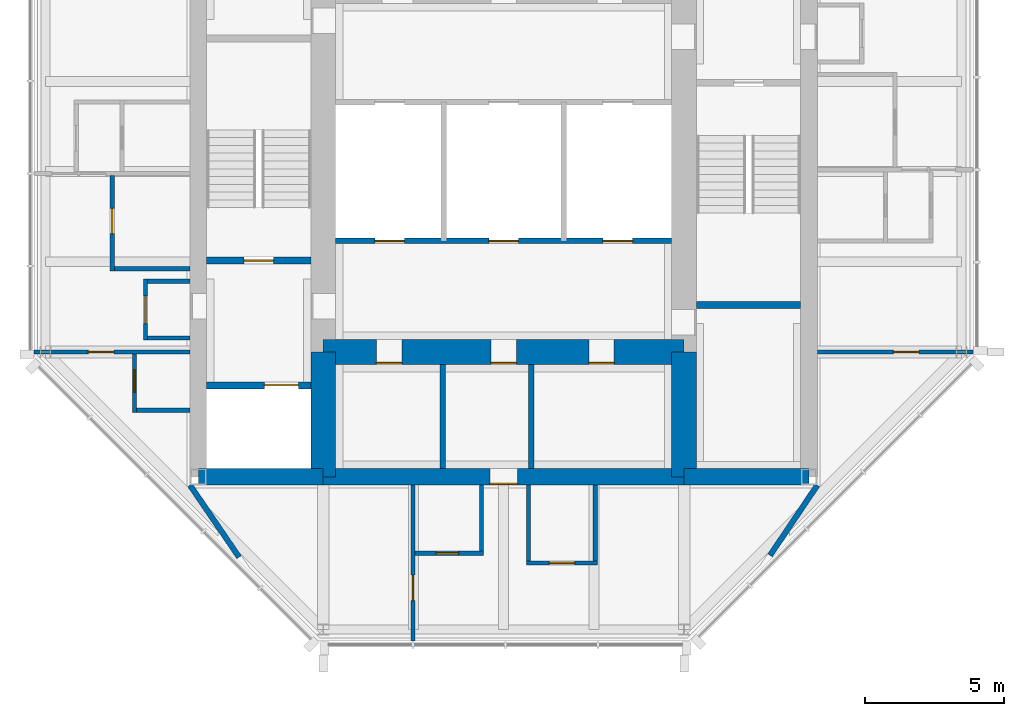
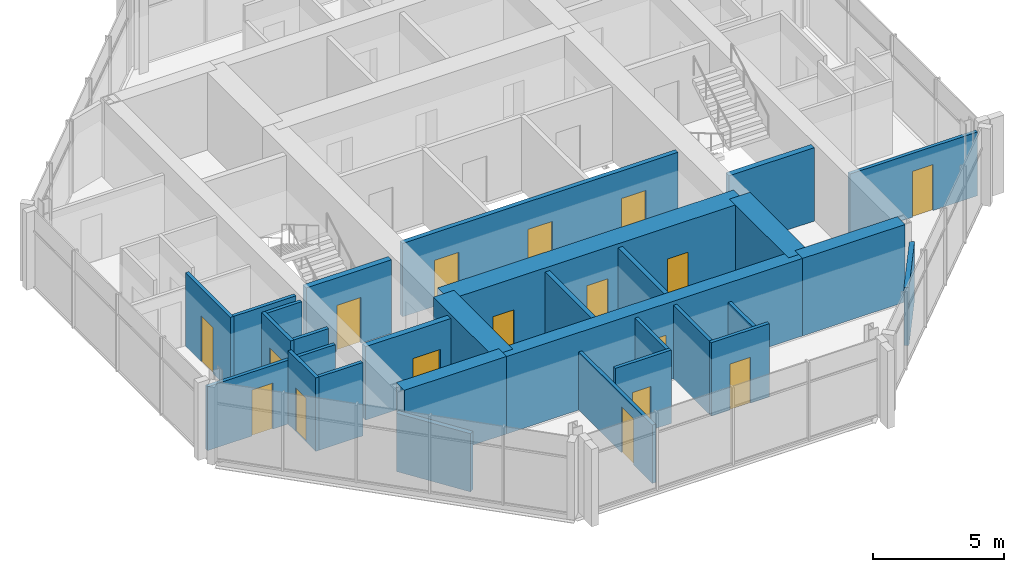
# One storey, part 5 of 9: 29 walls, 17 doors, 17 openings.
"""IFC4 building model written with IfcOpenShell, lengths in metres."""

from ifc_helpers import new_model, si_unit, direction, frame, frame_2d, origin, place, context, subcontext, project, spatial, rectangle, extrude, material, layer, layer_set, type_object, element, fill, save


model = new_model("IFC4")

# Units and contexts
model_context = context("Model", 3, precision=1e-05, world=origin(), true_north=direction((0.0, 1.0)))
body_context = subcontext(model_context, "Body", "Model", "MODEL_VIEW")
ifc_project = project(units=[si_unit("LENGTHUNIT", "METRE"), si_unit("AREAUNIT", "SQUARE_METRE"), si_unit("VOLUMEUNIT", "CUBIC_METRE"), si_unit("PLANEANGLEUNIT", "RADIAN"), si_unit("MASSUNIT", "GRAM", prefix="KILO")], contexts=[model_context])

# Site, building, storey
site_placement = place(None, origin())
site = spatial("IfcSite", under=ifc_project, at=site_placement, CompositionType="ELEMENT")
building_placement = place(site_placement, origin())
building = spatial("IfcBuilding", under=site, at=building_placement, Name="Trevanion Tower", CompositionType="ELEMENT")
storey_placement = place(building_placement, frame((0.0, 0.0, 284.800048828125)))
storey = spatial("IfcBuildingStorey", under=building, at=storey_placement, Name="L70", CompositionType="ELEMENT", Elevation=284.800048828125)

# Wall
ifc_material_1 = material(Name="Concrete 10,000 psi", Category="concrete")
ifc_layer_1 = layer(ifc_material_1, 0.60009765625)
ifc_layer_set_1 = layer_set([ifc_layer_1], Name="CW1 core wall 600")
wall_type_1 = type_object("IfcWallType", Name="CW1 core wall 600", PredefinedType="SHEAR", material=ifc_layer_set_1)
wall_1_placement = place(storey_placement, frame((-11.0, -11.0, 0.0), z_axis=(0.0, 0.0, 1.0), x_axis=(1.0, 0.0, 0.0)))
element("IfcWall", 1, at=wall_1_placement, inside=storey, type_object=wall_type_1, Name="CW1 CS1 L70", PredefinedType="SHEAR", context=body_context, shape_type="SweptSolid", body=[
    extrude(rectangle(XDim=4.5, YDim=0.60009765625, at=frame_2d((2.25, 0.0))), origin(), (0.0, 0.0, 1.0), 3.599853515625),
])

# Wall, opening, door
wall_2_placement = place(storey_placement, frame((-6.5, -11.0, 0.0), z_axis=(0.0, 0.0, 1.0), x_axis=(1.0, 0.0, 0.0)))
wall_2 = element("IfcWall", 2, at=wall_2_placement, inside=storey, type_object=wall_type_1, Name="CW1 CS2 L70", PredefinedType="SHEAR", context=body_context, shape_type="SweptSolid", body=[
    extrude(rectangle(XDim=13.0, YDim=0.60009765625, at=frame_2d((6.5, 0.0))), origin(), (0.0, 0.0, 1.0), 3.599853515625),
])
opening_1_placement = place(wall_2_placement, frame((6.0, 0.0, 0.0)))
opening_1 = element("IfcOpeningElement", 3, at=opening_1_placement, cuts=wall_2, Name="Opening 70-022", PredefinedType="OPENING", context=body_context, shape_type="SweptSolid", body=[
    extrude(rectangle(XDim=1.0, YDim=2.134033203125, at=frame_2d((0.5, 1.06689453125))), frame((0.0, 0.31005859375, 0.0), z_axis=(0.0, -1.0, 0.0), x_axis=(1.0, 0.0, 0.0)), (0.0, 0.0, 1.0), 0.6201171875),
])
ifc_material_2 = material(Name="Timber veneer on steel frame, fire rated", Category="steel")
door_type_1 = type_object("IfcDoorType", Name="D13 residence entrance door", OperationType="SINGLE_SWING_RIGHT", PredefinedType="DOOR", material=ifc_material_2)
door_1_placement = place(opening_1_placement, origin())
door_1 = element("IfcDoor", 4, at=door_1_placement, inside=storey, type_object=door_type_1, Name="Door 70-022", OperationType="SINGLE_SWING_RIGHT", OverallHeight=2.134033203125, OverallWidth=1.0, PredefinedType="DOOR", context=body_context, shape_type="SweptSolid", body=[
    extrude(rectangle(XDim=1.0, YDim=2.134033203125, at=frame_2d((0.5, 1.06689453125))), frame((0.0, -0.22509765625, 0.0), z_axis=(0.0, -1.0, 0.0), x_axis=(1.0, 0.0, 0.0)), (0.0, 0.0, 1.0), 0.050048828125),
])
fill(opening_1, door_1)

# Walls
wall_3_placement = place(storey_placement, frame((6.5, -11.0, 0.0), z_axis=(0.0, 0.0, 1.0), x_axis=(1.0, 0.0, 0.0)))
element("IfcWall", 5, at=wall_3_placement, inside=storey, type_object=wall_type_1, Name="CW1 CS3 L70", PredefinedType="SHEAR", context=body_context, shape_type="SweptSolid", body=[
    extrude(rectangle(XDim=4.5, YDim=0.60009765625, at=frame_2d((2.25, 0.0))), origin(), (0.0, 0.0, 1.0), 3.599853515625),
])
ifc_material_3 = material(Name="Concrete 10,000 psi", Category="concrete")
ifc_layer_2 = layer(ifc_material_3, 0.89990234375)
ifc_layer_set_2 = layer_set([ifc_layer_2], Name="CW2 core wall 900")
wall_type_2 = type_object("IfcWallType", Name="CW2 core wall 900", PredefinedType="SHEAR", material=ifc_layer_set_2)
for number, where, z_axis, x_axis, name in (
    (6, (6.5, -11.0, 0.0), (0.0, 0.0, 1.0), (0.0, 1.0, 0.0), "CW2 RE1 L70"),
    (7, (-6.5, -6.5, 0.0), (0.0, 0.0, 1.0), (0.0, -1.0, 0.0), "CW2 RW3 L70"),
):
    element("IfcWall", number, at=place(storey_placement, frame(where, z_axis=z_axis, x_axis=x_axis)), inside=storey, type_object=wall_type_2, Name=name, PredefinedType="SHEAR", context=body_context, shape_type="SweptSolid", body=[
        extrude(rectangle(XDim=4.5, YDim=0.89990234375, at=frame_2d((2.25, 0.0))), origin(), (0.0, 0.0, 1.0), 3.599853515625),
    ])

# Wall, openings, doors
wall_4_placement = place(storey_placement, frame((-6.5, -6.5, 0.0), z_axis=(0.0, 0.0, 1.0), x_axis=(1.0, 0.0, 0.0)))
wall_4 = element("IfcWall", 8, at=wall_4_placement, inside=storey, type_object=wall_type_2, Name="CW2 RS L70", PredefinedType="SHEAR", context=body_context, shape_type="SweptSolid", body=[
    extrude(rectangle(XDim=13.0, YDim=0.89990234375, at=frame_2d((6.5, 0.0))), origin(), (0.0, 0.0, 1.0), 3.599853515625),
])
opening_2_placement = place(wall_4_placement, frame((6.04248046875, 0.0, 0.0)))
opening_2 = element("IfcOpeningElement", 9, at=opening_2_placement, cuts=wall_4, Name="Opening 70-021", PredefinedType="OPENING", context=body_context, shape_type="SweptSolid", body=[
    extrude(rectangle(XDim=0.9150390625, YDim=2.134033203125, at=frame_2d((0.45751953125, 1.06689453125))), frame((0.0, 0.4599609375, 0.0), z_axis=(0.0, -1.0, 0.0), x_axis=(1.0, 0.0, 0.0)), (0.0, 0.0, 1.0), 0.919921875),
])
opening_3_placement = place(wall_4_placement, frame((1.91748046875, 0.0, 0.0)))
opening_3 = element("IfcOpeningElement", 10, at=opening_3_placement, cuts=wall_4, Name="Opening 70-023", PredefinedType="OPENING", context=body_context, shape_type="SweptSolid", body=[
    extrude(rectangle(XDim=0.9150390625, YDim=2.134033203125, at=frame_2d((0.45751953125, 1.06689453125))), frame((0.0, 0.4599609375, 0.0), z_axis=(0.0, -1.0, 0.0), x_axis=(1.0, 0.0, 0.0)), (0.0, 0.0, 1.0), 0.919921875),
])
opening_4_placement = place(wall_4_placement, frame((9.5673828125, 0.0, 0.0)))
opening_4 = element("IfcOpeningElement", 11, at=opening_4_placement, cuts=wall_4, Name="Opening 70-024", PredefinedType="OPENING", context=body_context, shape_type="SweptSolid", body=[
    extrude(rectangle(XDim=0.9150390625, YDim=2.134033203125, at=frame_2d((0.45751953125, 1.06689453125))), frame((0.0, 0.4599609375, 0.0), z_axis=(0.0, -1.0, 0.0), x_axis=(1.0, 0.0, 0.0)), (0.0, 0.0, 1.0), 0.919921875),
])
ifc_material_4 = material(Name="Hollow metal, fire rated", Category="steel")
door_type_2 = type_object("IfcDoorType", Name="D3 fire lift lobby door", OperationType="SINGLE_SWING_RIGHT", PredefinedType="DOOR", material=ifc_material_4)
door_2_placement = place(opening_2_placement, origin())
door_2 = element("IfcDoor", 12, at=door_2_placement, inside=storey, type_object=door_type_2, Name="Door 70-021", OperationType="SINGLE_SWING_RIGHT", OverallHeight=2.134033203125, OverallWidth=0.9150390625, PredefinedType="DOOR", context=body_context, shape_type="SweptSolid", body=[
    extrude(rectangle(XDim=0.9150390625, YDim=2.134033203125, at=frame_2d((0.45751953125, 1.06689453125))), frame((0.0, -0.375, 0.0), z_axis=(0.0, -1.0, 0.0), x_axis=(1.0, 0.0, 0.0)), (0.0, 0.0, 1.0), 0.050048828125),
])
fill(opening_2, door_2)
ifc_material_5 = material(Name="Hollow metal, fire rated", Category="steel")
door_type_3 = type_object("IfcDoorType", Name="D5 service room door", OperationType="SINGLE_SWING_RIGHT", PredefinedType="DOOR", material=ifc_material_5)
door_3_placement = place(opening_3_placement, origin())
door_3 = element("IfcDoor", 13, at=door_3_placement, inside=storey, type_object=door_type_3, Name="Door 70-023", OperationType="SINGLE_SWING_RIGHT", OverallHeight=2.134033203125, OverallWidth=0.9150390625, PredefinedType="DOOR", context=body_context, shape_type="SweptSolid", body=[
    extrude(rectangle(XDim=0.9150390625, YDim=2.134033203125, at=frame_2d((0.45751953125, 1.06689453125))), frame((0.0, -0.375, 0.0), z_axis=(0.0, -1.0, 0.0), x_axis=(1.0, 0.0, 0.0)), (0.0, 0.0, 1.0), 0.050048828125),
])
fill(opening_3, door_3)
door_4_placement = place(opening_4_placement, origin())
door_4 = element("IfcDoor", 14, at=door_4_placement, inside=storey, type_object=door_type_3, Name="Door 70-024", OperationType="SINGLE_SWING_RIGHT", OverallHeight=2.134033203125, OverallWidth=0.9150390625, PredefinedType="DOOR", context=body_context, shape_type="SweptSolid", body=[
    extrude(rectangle(XDim=0.9150390625, YDim=2.134033203125, at=frame_2d((0.45751953125, 1.06689453125))), frame((0.0, -0.375, 0.0), z_axis=(0.0, -1.0, 0.0), x_axis=(1.0, 0.0, 0.0)), (0.0, 0.0, 1.0), 0.050048828125),
])
fill(opening_4, door_4)

# Wall, opening, door
ifc_material_6 = material(Name="Gypsum board on steel studs", Category="steel")
ifc_layer_3 = layer(ifc_material_6, 0.14990234375)
ifc_layer_set_3 = layer_set([ifc_layer_3], Name="PT1 partition 150")
wall_type_3 = type_object("IfcWallType", Name="PT1 partition 150", PredefinedType="PARTITIONING", material=ifc_layer_set_3)
wall_5_placement = place(storey_placement, frame((11.300048828125, -6.5, 0.0), z_axis=(0.0, 0.0, 1.0), x_axis=(1.0, 0.0, 0.0)))
wall_5 = element("IfcWall", 15, at=wall_5_placement, inside=storey, type_object=wall_type_3, Name="PT1 L70 REC0", PredefinedType="PARTITIONING", context=body_context, shape_type="SweptSolid", body=[
    extrude(rectangle(XDim=5.614990234375, YDim=0.14990234375, at=frame_2d((2.8076171875, 0.0))), origin(), (0.0, 0.0, 1.0), 2.965576171875),
])
opening_5_placement = place(wall_5_placement, frame((2.742431640625, 0.0, 0.0)))
opening_5 = element("IfcOpeningElement", 16, at=opening_5_placement, cuts=wall_5, Name="Opening 70-031", PredefinedType="OPENING", context=body_context, shape_type="SweptSolid", body=[
    extrude(rectangle(XDim=0.9150390625, YDim=2.134033203125, at=frame_2d((0.45751953125, 1.06689453125))), frame((0.0, 0.0849609375, 0.0), z_axis=(0.0, -1.0, 0.0), x_axis=(1.0, 0.0, 0.0)), (0.0, 0.0, 1.0), 0.169921875),
])
ifc_material_7 = material(Name="Timber veneer, solid core", Category="wood")
door_type_4 = type_object("IfcDoorType", Name="D1 office and meeting room door", OperationType="SINGLE_SWING_LEFT", PredefinedType="DOOR", material=ifc_material_7)
door_5_placement = place(opening_5_placement, origin())
door_5 = element("IfcDoor", 17, at=door_5_placement, inside=storey, type_object=door_type_4, Name="Door 70-031", OperationType="SINGLE_SWING_LEFT", OverallHeight=2.134033203125, OverallWidth=0.9150390625, PredefinedType="DOOR", context=body_context, shape_type="SweptSolid", body=[
    extrude(rectangle(XDim=0.9150390625, YDim=2.134033203125, at=frame_2d((0.45751953125, 1.06689453125))), frame((0.0, 0.02490234375, 0.0), z_axis=(0.0, -1.0, 0.0), x_axis=(1.0, 0.0, 0.0)), (0.0, 0.0, 1.0), 0.050048828125),
])
fill(opening_5, door_5)

wall_6_placement = place(storey_placement, frame((-11.300048828125, -6.5, 0.0), z_axis=(0.0, 0.0, 1.0), x_axis=(-1.0, 0.0, 0.0)))
wall_6 = element("IfcWall", 18, at=wall_6_placement, inside=storey, type_object=wall_type_3, Name="PT1 L70 RWC2", PredefinedType="PARTITIONING", context=body_context, shape_type="SweptSolid", body=[
    extrude(rectangle(XDim=5.614990234375, YDim=0.14990234375, at=frame_2d((2.8076171875, 0.0))), origin(), (0.0, 0.0, 1.0), 2.965576171875),
])
opening_6_placement = place(wall_6_placement, frame((2.742431640625, 0.0, 0.0)))
opening_6 = element("IfcOpeningElement", 19, at=opening_6_placement, cuts=wall_6, Name="Opening 70-045", PredefinedType="OPENING", context=body_context, shape_type="SweptSolid", body=[
    extrude(rectangle(XDim=0.9150390625, YDim=2.134033203125, at=frame_2d((0.45751953125, 1.06689453125))), frame((0.0, 0.0849609375, 0.0), z_axis=(0.0, -1.0, 0.0), x_axis=(1.0, 0.0, 0.0)), (0.0, 0.0, 1.0), 0.169921875),
])
door_6_placement = place(opening_6_placement, origin())
door_6 = element("IfcDoor", 20, at=door_6_placement, inside=storey, type_object=door_type_4, Name="Door 70-045", OperationType="SINGLE_SWING_LEFT", OverallHeight=2.134033203125, OverallWidth=0.9150390625, PredefinedType="DOOR", context=body_context, shape_type="SweptSolid", body=[
    extrude(rectangle(XDim=0.9150390625, YDim=2.134033203125, at=frame_2d((0.45751953125, 1.06689453125))), frame((0.0, 0.02490234375, 0.0), z_axis=(0.0, -1.0, 0.0), x_axis=(1.0, 0.0, 0.0)), (0.0, 0.0, 1.0), 0.050048828125),
])
fill(opening_6, door_6)

# Walls
for number, where, z_axis, x_axis, name in (
    (21, (-11.300048828125, -3.949951171875, 0.0), (0.0, 0.0, 1.0), (-1.0, 0.0, 0.0), "PT1 L70 RWEA"),
    (22, (-11.300048828125, -6.0, 0.0), (0.0, 0.0, 1.0), (-1.0, 0.0, 0.0), "PT1 L70 RWEB"),
):
    element("IfcWall", number, at=place(storey_placement, frame(where, z_axis=z_axis, x_axis=x_axis)), inside=storey, type_object=wall_type_3, Name=name, PredefinedType="PARTITIONING", context=body_context, shape_type="SweptSolid", body=[
        extrude(rectangle(XDim=1.52490234375, YDim=0.14990234375, at=frame_2d((0.762451171875, 0.0))), origin(), (0.0, 0.0, 1.0), 3.409912109375),
    ])

# Wall, opening, door
wall_7_placement = place(storey_placement, frame((-14.10009765625, -0.139892578125, 0.0), z_axis=(0.0, 0.0, 1.0), x_axis=(0.0, -1.0, 0.0)))
wall_7 = element("IfcWall", 23, at=wall_7_placement, inside=storey, type_object=wall_type_3, Name="PT1 L70 RWKF", PredefinedType="PARTITIONING", context=body_context, shape_type="SweptSolid", body=[
    extrude(rectangle(XDim=3.43505859375, YDim=0.14990234375, at=frame_2d((1.717529296875, 0.0))), origin(), (0.0, 0.0, 1.0), 3.409912109375),
])
opening_7_placement = place(wall_7_placement, frame((1.18505859375, 0.0, 0.0)))
opening_7 = element("IfcOpeningElement", 24, at=opening_7_placement, cuts=wall_7, Name="Opening 70-038", PredefinedType="OPENING", context=body_context, shape_type="SweptSolid", body=[
    extrude(rectangle(XDim=0.9150390625, YDim=2.134033203125, at=frame_2d((0.45751953125, 1.06689453125))), frame((0.0, 0.0849609375, 0.0), z_axis=(0.0, -1.0, 0.0), x_axis=(1.0, 0.0, 0.0)), (0.0, 0.0, 1.0), 0.169921875),
])
door_7_placement = place(opening_7_placement, origin())
door_7 = element("IfcDoor", 25, at=door_7_placement, inside=storey, type_object=door_type_4, Name="Door 70-038", OperationType="SINGLE_SWING_LEFT", OverallHeight=2.134033203125, OverallWidth=0.9150390625, PredefinedType="DOOR", context=body_context, shape_type="SweptSolid", body=[
    extrude(rectangle(XDim=0.9150390625, YDim=2.134033203125, at=frame_2d((0.45751953125, 1.06689453125))), frame((0.0, 0.02490234375, 0.0), z_axis=(0.0, -1.0, 0.0), x_axis=(1.0, 0.0, 0.0)), (0.0, 0.0, 1.0), 0.050048828125),
])
fill(opening_7, door_7)

# Wall
wall_8_placement = place(storey_placement, frame((-11.300048828125, -3.5, 0.0), z_axis=(0.0, 0.0, 1.0), x_axis=(-1.0, 0.0, 0.0)))
element("IfcWall", 26, at=wall_8_placement, inside=storey, type_object=wall_type_3, Name="PT1 L70 RWKB", PredefinedType="PARTITIONING", context=body_context, shape_type="SweptSolid", body=[
    extrude(rectangle(XDim=2.724853515625, YDim=0.14990234375, at=frame_2d((1.3623046875, 0.0))), origin(), (0.0, 0.0, 1.0), 3.409912109375),
])

# Wall, opening, door
wall_9_placement = place(storey_placement, frame((-13.300048828125, -6.574951171875, 0.0), z_axis=(0.0, 0.0, 1.0), x_axis=(0.0, -1.0, 0.0)))
wall_9 = element("IfcWall", 27, at=wall_9_placement, inside=storey, type_object=wall_type_3, Name="PT1 L70 RWWF", PredefinedType="PARTITIONING", context=body_context, shape_type="SweptSolid", body=[
    extrude(rectangle(XDim=2.10009765625, YDim=0.14990234375, at=frame_2d((1.050048828125, 0.0))), origin(), (0.0, 0.0, 1.0), 3.409912109375),
])
opening_8_placement = place(wall_9_placement, frame((0.568603515625, 0.0, 0.0)))
opening_8 = element("IfcOpeningElement", 28, at=opening_8_placement, cuts=wall_9, Name="Opening 70-039", PredefinedType="OPENING", context=body_context, shape_type="SweptSolid", body=[
    extrude(rectangle(XDim=0.81298828125, YDim=2.031982421875, at=frame_2d((0.406494140625, 1.01611328125))), frame((0.0, 0.0849609375, 0.0), z_axis=(0.0, -1.0, 0.0), x_axis=(1.0, 0.0, 0.0)), (0.0, 0.0, 1.0), 0.169921875),
])
ifc_material_8 = material(Name="Timber veneer", Category="wood")
door_type_5 = type_object("IfcDoorType", Name="D14 residence bathroom door", OperationType="SINGLE_SWING_LEFT", PredefinedType="DOOR", material=ifc_material_8)
door_8_placement = place(opening_8_placement, origin())
door_8 = element("IfcDoor", 29, at=door_8_placement, inside=storey, type_object=door_type_5, Name="Door 70-039", OperationType="SINGLE_SWING_LEFT", OverallHeight=2.031982421875, OverallWidth=0.81298828125, PredefinedType="DOOR", context=body_context, shape_type="SweptSolid", body=[
    extrude(rectangle(XDim=0.81298828125, YDim=2.031982421875, at=frame_2d((0.406494140625, 1.01611328125))), frame((0.0, 0.02490234375, 0.0), z_axis=(0.0, -1.0, 0.0), x_axis=(1.0, 0.0, 0.0)), (0.0, 0.0, 1.0), 0.050048828125),
])
fill(opening_8, door_8)

# Wall
wall_10_placement = place(storey_placement, frame((-11.300048828125, -8.60009765625, 0.0), z_axis=(0.0, 0.0, 1.0), x_axis=(-1.0, 0.0, 0.0)))
element("IfcWall", 30, at=wall_10_placement, inside=storey, type_object=wall_type_3, Name="PT1 L70 RWWB", PredefinedType="PARTITIONING", context=body_context, shape_type="SweptSolid", body=[
    extrude(rectangle(XDim=1.925048828125, YDim=0.14990234375, at=frame_2d((0.96240234375, 0.0))), origin(), (0.0, 0.0, 1.0), 3.409912109375),
])

# Wall, opening, door
wall_11_placement = place(storey_placement, frame((-3.26611328125, -11.300048828125, 0.0), z_axis=(0.0, 0.0, 1.0), x_axis=(0.0, -1.0, 0.0)))
wall_11 = element("IfcWall", 31, at=wall_11_placement, inside=storey, type_object=wall_type_3, Name="PT1 L70 RSC0", PredefinedType="PARTITIONING", context=body_context, shape_type="SweptSolid", body=[
    extrude(rectangle(XDim=5.614990234375, YDim=0.14990234375, at=frame_2d((2.8076171875, 0.0))), origin(), (0.0, 0.0, 1.0), 2.708984375),
])
opening_9_placement = place(wall_11_placement, frame((3.242431640625, 0.0, 0.0)))
opening_9 = element("IfcOpeningElement", 32, at=opening_9_placement, cuts=wall_11, Name="Opening 70-048", PredefinedType="OPENING", context=body_context, shape_type="SweptSolid", body=[
    extrude(rectangle(XDim=0.9150390625, YDim=2.134033203125, at=frame_2d((0.45751953125, 1.06689453125))), frame((0.0, 0.0849609375, 0.0), z_axis=(0.0, -1.0, 0.0), x_axis=(1.0, 0.0, 0.0)), (0.0, 0.0, 1.0), 0.169921875),
])
door_9_placement = place(opening_9_placement, origin())
door_9 = element("IfcDoor", 33, at=door_9_placement, inside=storey, type_object=door_type_4, Name="Door 70-048", OperationType="SINGLE_SWING_LEFT", OverallHeight=2.134033203125, OverallWidth=0.9150390625, PredefinedType="DOOR", context=body_context, shape_type="SweptSolid", body=[
    extrude(rectangle(XDim=0.9150390625, YDim=2.134033203125, at=frame_2d((0.45751953125, 1.06689453125))), frame((0.0, 0.02490234375, 0.0), z_axis=(0.0, -1.0, 0.0), x_axis=(1.0, 0.0, 0.0)), (0.0, 0.0, 1.0), 0.050048828125),
])
fill(opening_9, door_9)

wall_12_placement = place(storey_placement, frame((0.824951171875, -14.10009765625, 0.0), z_axis=(0.0, 0.0, 1.0), x_axis=(1.0, 0.0, 0.0)))
wall_12 = element("IfcWall", 34, at=wall_12_placement, inside=storey, type_object=wall_type_3, Name="PT1 L70 RSKF", PredefinedType="PARTITIONING", context=body_context, shape_type="SweptSolid", body=[
    extrude(rectangle(XDim=2.550048828125, YDim=0.14990234375, at=frame_2d((1.27490234375, 0.0))), origin(), (0.0, 0.0, 1.0), 3.409912109375),
])
opening_10_placement = place(wall_12_placement, frame((0.8173828125, 0.0, 0.0)))
opening_10 = element("IfcOpeningElement", 35, at=opening_10_placement, cuts=wall_12, Name="Opening 70-046", PredefinedType="OPENING", context=body_context, shape_type="SweptSolid", body=[
    extrude(rectangle(XDim=0.9150390625, YDim=2.134033203125, at=frame_2d((0.45751953125, 1.06689453125))), frame((0.0, 0.0849609375, 0.0), z_axis=(0.0, -1.0, 0.0), x_axis=(1.0, 0.0, 0.0)), (0.0, 0.0, 1.0), 0.169921875),
])
door_10_placement = place(opening_10_placement, origin())
door_10 = element("IfcDoor", 36, at=door_10_placement, inside=storey, type_object=door_type_4, Name="Door 70-046", OperationType="SINGLE_SWING_LEFT", OverallHeight=2.134033203125, OverallWidth=0.9150390625, PredefinedType="DOOR", context=body_context, shape_type="SweptSolid", body=[
    extrude(rectangle(XDim=0.9150390625, YDim=2.134033203125, at=frame_2d((0.45751953125, 1.06689453125))), frame((0.0, 0.02490234375, 0.0), z_axis=(0.0, -1.0, 0.0), x_axis=(1.0, 0.0, 0.0)), (0.0, 0.0, 1.0), 0.050048828125),
])
fill(opening_10, door_10)

# Walls
wall_13_placement = place(storey_placement, frame((0.89990234375, -11.300048828125, 0.0), z_axis=(0.0, 0.0, 1.0), x_axis=(0.0, -1.0, 0.0)))
element("IfcWall", 37, at=wall_13_placement, inside=storey, type_object=wall_type_3, Name="PT1 L70 RSKA", PredefinedType="PARTITIONING", context=body_context, shape_type="SweptSolid", body=[
    extrude(rectangle(XDim=2.724853515625, YDim=0.14990234375, at=frame_2d((1.3623046875, 0.0))), origin(), (0.0, 0.0, 1.0), 3.409912109375),
])
wall_14_placement = place(storey_placement, frame((3.300048828125, -11.300048828125, 0.0), z_axis=(0.0, 0.0, 1.0), x_axis=(0.0, -1.0, 0.0)))
element("IfcWall", 38, at=wall_14_placement, inside=storey, type_object=wall_type_3, Name="PT1 L70 RSKB", PredefinedType="PARTITIONING", context=body_context, shape_type="SweptSolid", body=[
    extrude(rectangle(XDim=2.724853515625, YDim=0.14990234375, at=frame_2d((1.3623046875, 0.0))), origin(), (0.0, 0.0, 1.0), 2.708984375),
])

# Wall, opening, door
wall_15_placement = place(storey_placement, frame((-3.19091796875, -13.75, 0.0), z_axis=(0.0, 0.0, 1.0), x_axis=(1.0, 0.0, 0.0)))
wall_15 = element("IfcWall", 39, at=wall_15_placement, inside=storey, type_object=wall_type_3, Name="PT1 L70 RSTF", PredefinedType="PARTITIONING", context=body_context, shape_type="SweptSolid", body=[
    extrude(rectangle(XDim=2.4658203125, YDim=0.14990234375, at=frame_2d((1.23291015625, 0.0))), origin(), (0.0, 0.0, 1.0), 3.409912109375),
])
opening_11_placement = place(wall_15_placement, frame((0.75146484375, 0.0, 0.0)))
opening_11 = element("IfcOpeningElement", 40, at=opening_11_placement, cuts=wall_15, Name="Opening 70-047", PredefinedType="OPENING", context=body_context, shape_type="SweptSolid", body=[
    extrude(rectangle(XDim=0.81298828125, YDim=2.031982421875, at=frame_2d((0.406494140625, 1.01611328125))), frame((0.0, 0.0849609375, 0.0), z_axis=(0.0, -1.0, 0.0), x_axis=(1.0, 0.0, 0.0)), (0.0, 0.0, 1.0), 0.169921875),
])
door_11_placement = place(opening_11_placement, origin())
door_11 = element("IfcDoor", 41, at=door_11_placement, inside=storey, type_object=door_type_5, Name="Door 70-047", OperationType="SINGLE_SWING_LEFT", OverallHeight=2.031982421875, OverallWidth=0.81298828125, PredefinedType="DOOR", context=body_context, shape_type="SweptSolid", body=[
    extrude(rectangle(XDim=0.81298828125, YDim=2.031982421875, at=frame_2d((0.406494140625, 1.01611328125))), frame((0.0, 0.02490234375, 0.0), z_axis=(0.0, -1.0, 0.0), x_axis=(1.0, 0.0, 0.0)), (0.0, 0.0, 1.0), 0.050048828125),
])
fill(opening_11, door_11)

# Wall
wall_16_placement = place(storey_placement, frame((-0.800048828125, -11.300048828125, 0.0), z_axis=(0.0, 0.0, 1.0), x_axis=(0.0, -1.0, 0.0)))
element("IfcWall", 42, at=wall_16_placement, inside=storey, type_object=wall_type_3, Name="PT1 L70 RSTB", PredefinedType="PARTITIONING", context=body_context, shape_type="SweptSolid", body=[
    extrude(rectangle(XDim=2.375, YDim=0.14990234375, at=frame_2d((1.1875, 0.0))), origin(), (0.0, 0.0, 1.0), 3.409912109375),
])

# Wall, opening, door
ifc_material_9 = material(Name="Gypsum board on steel studs", Category="steel")
ifc_layer_4 = layer(ifc_material_9, 0.14990234375)
ifc_layer_set_4 = layer_set([ifc_layer_4], Name="PT1 partition 150 1 HR")
wall_type_4 = type_object("IfcWallType", Name="PT1 partition 150 1 HR", PredefinedType="PARTITIONING", material=ifc_layer_set_4)
wall_17_placement = place(storey_placement, frame((-12.89990234375, -3.875, 0.0), z_axis=(0.0, 0.0, 1.0), x_axis=(0.0, -1.0, 0.0)))
wall_17 = element("IfcWall", 43, at=wall_17_placement, inside=storey, type_object=wall_type_4, Name="PT1 L70 RWEF", PredefinedType="PARTITIONING", context=body_context, shape_type="SweptSolid", body=[
    extrude(rectangle(XDim=2.199951171875, YDim=0.14990234375, at=frame_2d((1.10009765625, 0.0))), origin(), (0.0, 0.0, 1.0), 3.409912109375),
])
opening_12_placement = place(wall_17_placement, frame((0.60009765625, 0.0, 0.0)))
opening_12 = element("IfcOpeningElement", 44, at=opening_12_placement, cuts=wall_17, Name="Opening 70-037", PredefinedType="OPENING", context=body_context, shape_type="SweptSolid", body=[
    extrude(rectangle(XDim=1.0, YDim=2.134033203125, at=frame_2d((0.5, 1.06689453125))), frame((0.0, 0.0849609375, 0.0), z_axis=(0.0, -1.0, 0.0), x_axis=(1.0, 0.0, 0.0)), (0.0, 0.0, 1.0), 0.169921875),
])
door_12_placement = place(opening_12_placement, origin())
door_12 = element("IfcDoor", 45, at=door_12_placement, inside=storey, type_object=door_type_1, Name="Door 70-037", OperationType="SINGLE_SWING_RIGHT", OverallHeight=2.134033203125, OverallWidth=1.0, PredefinedType="DOOR", context=body_context, shape_type="SweptSolid", body=[
    extrude(rectangle(XDim=1.0, YDim=2.134033203125, at=frame_2d((0.5, 1.06689453125))), frame((0.0, 0.02490234375, 0.0), z_axis=(0.0, -1.0, 0.0), x_axis=(1.0, 0.0, 0.0)), (0.0, 0.0, 1.0), 0.050048828125),
])
fill(opening_12, door_12)

# Wall, openings, doors
ifc_material_10 = material(Name="Concrete masonry, grouted", Category="masonry")
ifc_layer_5 = layer(ifc_material_10, 0.199951171875)
ifc_layer_set_5 = layer_set([ifc_layer_5], Name="PT2 partition 200 1 HR")
wall_type_5 = type_object("IfcWallType", Name="PT2 partition 200 1 HR", PredefinedType="PARTITIONING", material=ifc_layer_set_5)
wall_18_placement = place(storey_placement, frame((6.050048828125, -2.5, 0.0), z_axis=(0.0, 0.0, 1.0), x_axis=(-1.0, 0.0, 0.0)))
wall_18 = element("IfcWall", 46, at=wall_18_placement, inside=storey, type_object=wall_type_5, Name="PT2 L70 CP2", PredefinedType="PARTITIONING", context=body_context, shape_type="SweptSolid", body=[
    extrude(rectangle(XDim=12.10009765625, YDim=0.199951171875, at=frame_2d((6.050048828125, 0.0))), origin(), (0.0, 0.0, 1.0), 3.409912109375),
])
opening_13_placement = place(wall_18_placement, frame((9.624755859375, 0.0, 0.0)))
opening_13 = element("IfcOpeningElement", 47, at=opening_13_placement, cuts=wall_18, Name="Opening 70-012", PredefinedType="OPENING", context=body_context, shape_type="SweptSolid", body=[
    extrude(rectangle(XDim=1.06689453125, YDim=2.134033203125, at=frame_2d((0.533447265625, 1.06689453125))), frame((0.0, 0.10986328125, 0.0), z_axis=(0.0, -1.0, 0.0), x_axis=(1.0, 0.0, 0.0)), (0.0, 0.0, 1.0), 0.219970703125),
])
opening_14_placement = place(wall_18_placement, frame((5.5166015625, 0.0, 0.0)))
opening_14 = element("IfcOpeningElement", 48, at=opening_14_placement, cuts=wall_18, Name="Opening 70-014", PredefinedType="OPENING", context=body_context, shape_type="SweptSolid", body=[
    extrude(rectangle(XDim=1.06689453125, YDim=2.134033203125, at=frame_2d((0.533447265625, 1.06689453125))), frame((0.0, 0.10986328125, 0.0), z_axis=(0.0, -1.0, 0.0), x_axis=(1.0, 0.0, 0.0)), (0.0, 0.0, 1.0), 0.219970703125),
])
opening_15_placement = place(wall_18_placement, frame((1.408203125, 0.0, 0.0)))
opening_15 = element("IfcOpeningElement", 49, at=opening_15_placement, cuts=wall_18, Name="Opening 70-016", PredefinedType="OPENING", context=body_context, shape_type="SweptSolid", body=[
    extrude(rectangle(XDim=1.06689453125, YDim=2.134033203125, at=frame_2d((0.533447265625, 1.06689453125))), frame((0.0, 0.10986328125, 0.0), z_axis=(0.0, -1.0, 0.0), x_axis=(1.0, 0.0, 0.0)), (0.0, 0.0, 1.0), 0.219970703125),
])
ifc_material_11 = material(Name="Stainless steel, fire rated", Category="steel")
door_type_6 = type_object("IfcDoorType", Name="LD1 lift landing door", OperationType="SLIDING_TO_LEFT", PredefinedType="DOOR", material=ifc_material_11)
door_13_placement = place(opening_13_placement, origin())
door_13 = element("IfcDoor", 50, at=door_13_placement, inside=storey, type_object=door_type_6, Name="Door 70-012", OperationType="SLIDING_TO_LEFT", OverallHeight=2.134033203125, OverallWidth=1.06689453125, PredefinedType="DOOR", context=body_context, shape_type="SweptSolid", body=[
    extrude(rectangle(XDim=1.06689453125, YDim=2.134033203125, at=frame_2d((0.533447265625, 1.06689453125))), frame((0.0, 0.02490234375, 0.0), z_axis=(0.0, -1.0, 0.0), x_axis=(1.0, 0.0, 0.0)), (0.0, 0.0, 1.0), 0.050048828125),
])
fill(opening_13, door_13)
door_14_placement = place(opening_14_placement, origin())
door_14 = element("IfcDoor", 51, at=door_14_placement, inside=storey, type_object=door_type_6, Name="Door 70-014", OperationType="SLIDING_TO_LEFT", OverallHeight=2.134033203125, OverallWidth=1.06689453125, PredefinedType="DOOR", context=body_context, shape_type="SweptSolid", body=[
    extrude(rectangle(XDim=1.06689453125, YDim=2.134033203125, at=frame_2d((0.533447265625, 1.06689453125))), frame((0.0, 0.02490234375, 0.0), z_axis=(0.0, -1.0, 0.0), x_axis=(1.0, 0.0, 0.0)), (0.0, 0.0, 1.0), 0.050048828125),
])
fill(opening_14, door_14)
door_15_placement = place(opening_15_placement, origin())
door_15 = element("IfcDoor", 52, at=door_15_placement, inside=storey, type_object=door_type_6, Name="Door 70-016", OperationType="SLIDING_TO_LEFT", OverallHeight=2.134033203125, OverallWidth=1.06689453125, PredefinedType="DOOR", context=body_context, shape_type="SweptSolid", body=[
    extrude(rectangle(XDim=1.06689453125, YDim=2.134033203125, at=frame_2d((0.533447265625, 1.06689453125))), frame((0.0, 0.02490234375, 0.0), z_axis=(0.0, -1.0, 0.0), x_axis=(1.0, 0.0, 0.0)), (0.0, 0.0, 1.0), 0.050048828125),
])
fill(opening_15, door_15)

# Walls
for number, where, z_axis, x_axis, name in (
    (53, (-2.199951171875, -6.949951171875, 0.0), (0.0, 0.0, 1.0), (0.0, -1.0, 0.0), "PT2 L70 CSP1"),
    (54, (1.0, -6.949951171875, 0.0), (0.0, 0.0, 1.0), (0.0, -1.0, 0.0), "PT2 L70 CSP2"),
):
    element("IfcWall", number, at=place(storey_placement, frame(where, z_axis=z_axis, x_axis=x_axis)), inside=storey, type_object=wall_type_5, Name=name, PredefinedType="PARTITIONING", context=body_context, shape_type="SweptSolid", body=[
        extrude(rectangle(XDim=3.75, YDim=0.199951171875, at=frame_2d((1.875, 0.0))), origin(), (0.0, 0.0, 1.0), 3.409912109375),
    ])
wall_19_placement = place(storey_placement, frame((-11.300048828125, -11.300048828125, 0.0), z_axis=(0.0, 0.0, 1.0), x_axis=(0.563469639691, -0.826136771453, 0.0)))
element("IfcWall", 55, at=wall_19_placement, inside=storey, type_object=wall_type_5, Name="PT2 L70 UB2", PredefinedType="PARTITIONING", context=body_context, shape_type="SweptSolid", body=[
    extrude(rectangle(XDim=3.136962890625, YDim=0.199951171875, at=frame_2d((1.568359375, 0.0))), origin(), (0.0, 0.0, 1.0), 2.703857421875),
])
wall_20_placement = place(storey_placement, frame((11.300048828125, -11.300048828125, 0.0), z_axis=(0.0, 0.0, 1.0), x_axis=(-0.558834300538, -0.829279340477, 0.0)))
element("IfcWall", 56, at=wall_20_placement, inside=storey, type_object=wall_type_5, Name="PT2 L70 UB3", PredefinedType="PARTITIONING", context=body_context, shape_type="SweptSolid", body=[
    extrude(rectangle(XDim=3.047607421875, YDim=0.199951171875, at=frame_2d((1.52392578125, 0.0))), origin(), (0.0, 0.0, 1.0), 2.703857421875),
])

# Wall, opening, door
ifc_material_12 = material(Name="Concrete masonry, grouted, two-hour", Category="masonry")
ifc_layer_6 = layer(ifc_material_12, 0.25)
ifc_layer_set_6 = layer_set([ifc_layer_6], Name="PT3 partition 250 2 HR")
wall_type_6 = type_object("IfcWallType", Name="PT3 partition 250 2 HR", PredefinedType="PARTITIONING", material=ifc_layer_set_6)
wall_21_placement = place(storey_placement, frame((-6.949951171875, -7.699951171875, 0.0), z_axis=(0.0, 0.0, 1.0), x_axis=(-1.0, 0.0, 0.0)))
wall_21 = element("IfcWall", 57, at=wall_21_placement, inside=storey, type_object=wall_type_6, Name="PT3 L70 WP3", PredefinedType="PARTITIONING", context=body_context, shape_type="SweptSolid", body=[
    extrude(rectangle(XDim=3.75, YDim=0.25, at=frame_2d((1.875, 0.0))), origin(), (0.0, 0.0, 1.0), 3.409912109375),
])
opening_16_placement = place(wall_21_placement, frame((0.449951171875, 0.0, 0.0)))
opening_16 = element("IfcOpeningElement", 58, at=opening_16_placement, cuts=wall_21, Name="Opening 70-008", PredefinedType="OPENING", context=body_context, shape_type="SweptSolid", body=[
    extrude(rectangle(XDim=1.218994140625, YDim=2.134033203125, at=frame_2d((0.609375, 1.06689453125))), frame((0.0, 0.135009765625, 0.0), z_axis=(0.0, -1.0, 0.0), x_axis=(1.0, 0.0, 0.0)), (0.0, 0.0, 1.0), 0.27001953125),
])
ifc_material_13 = material(Name="Stainless steel, fire rated", Category="steel")
door_type_7 = type_object("IfcDoorType", Name="LD2 fire service lift landing door", OperationType="SLIDING_TO_LEFT", PredefinedType="DOOR", material=ifc_material_13)
door_16_placement = place(opening_16_placement, origin())
door_16 = element("IfcDoor", 59, at=door_16_placement, inside=storey, type_object=door_type_7, Name="Door 70-008", OperationType="SLIDING_TO_LEFT", OverallHeight=2.134033203125, OverallWidth=1.218994140625, PredefinedType="DOOR", context=body_context, shape_type="SweptSolid", body=[
    extrude(rectangle(XDim=1.218994140625, YDim=2.134033203125, at=frame_2d((0.609375, 1.06689453125))), frame((0.0, 0.02490234375, 0.0), z_axis=(0.0, -1.0, 0.0), x_axis=(1.0, 0.0, 0.0)), (0.0, 0.0, 1.0), 0.050048828125),
])
fill(opening_16, door_16)

# Wall
ifc_material_14 = material(Name="Reinforced masonry, fully grouted", Category="masonry")
ifc_layer_7 = layer(ifc_material_14, 0.25)
ifc_layer_set_7 = layer_set([ifc_layer_7], Name="SW1 stair shaft wall 250")
wall_type_7 = type_object("IfcWallType", Name="SW1 stair shaft wall 250", PredefinedType="SOLIDWALL", material=ifc_layer_set_7)
wall_22_placement = place(storey_placement, frame((6.949951171875, -4.800048828125, 0.0), z_axis=(0.0, 0.0, 1.0), x_axis=(1.0, 0.0, 0.0)))
element("IfcWall", 60, at=wall_22_placement, inside=storey, type_object=wall_type_7, Name="SW1 L70 EP1", PredefinedType="SOLIDWALL", context=body_context, shape_type="SweptSolid", body=[
    extrude(rectangle(XDim=3.75, YDim=0.25, at=frame_2d((1.875, 0.0))), origin(), (0.0, 0.0, 1.0), 3.409912109375),
])

# Wall, opening, door
wall_23_placement = place(storey_placement, frame((-6.949951171875, -3.199951171875, 0.0), z_axis=(0.0, 0.0, 1.0), x_axis=(-1.0, 0.0, 0.0)))
wall_23 = element("IfcWall", 61, at=wall_23_placement, inside=storey, type_object=wall_type_7, Name="SW1 L70 WP2", PredefinedType="SOLIDWALL", context=body_context, shape_type="SweptSolid", body=[
    extrude(rectangle(XDim=3.75, YDim=0.25, at=frame_2d((1.875, 0.0))), origin(), (0.0, 0.0, 1.0), 3.409912109375),
])
opening_17_placement = place(wall_23_placement, frame((1.341552734375, 0.0, 0.0)))
opening_17 = element("IfcOpeningElement", 62, at=opening_17_placement, cuts=wall_23, Name="Opening 70-006", PredefinedType="OPENING", context=body_context, shape_type="SweptSolid", body=[
    extrude(rectangle(XDim=1.06689453125, YDim=2.134033203125, at=frame_2d((0.533447265625, 1.06689453125))), frame((0.0, 0.135009765625, 0.0), z_axis=(0.0, -1.0, 0.0), x_axis=(1.0, 0.0, 0.0)), (0.0, 0.0, 1.0), 0.27001953125),
])
ifc_material_15 = material(Name="Hollow metal, fire rated", Category="steel")
door_type_8 = type_object("IfcDoorType", Name="D2 exit stair door", OperationType="SINGLE_SWING_LEFT", PredefinedType="DOOR", material=ifc_material_15)
door_17_placement = place(opening_17_placement, origin())
door_17 = element("IfcDoor", 63, at=door_17_placement, inside=storey, type_object=door_type_8, Name="Door 70-006", OperationType="SINGLE_SWING_LEFT", OverallHeight=2.134033203125, OverallWidth=1.06689453125, PredefinedType="DOOR", context=body_context, shape_type="SweptSolid", body=[
    extrude(rectangle(XDim=1.06689453125, YDim=2.134033203125, at=frame_2d((0.533447265625, 1.06689453125))), frame((0.0, 0.02490234375, 0.0), z_axis=(0.0, -1.0, 0.0), x_axis=(1.0, 0.0, 0.0)), (0.0, 0.0, 1.0), 0.050048828125),
])
fill(opening_17, door_17)

save(model, "model.ifc")
